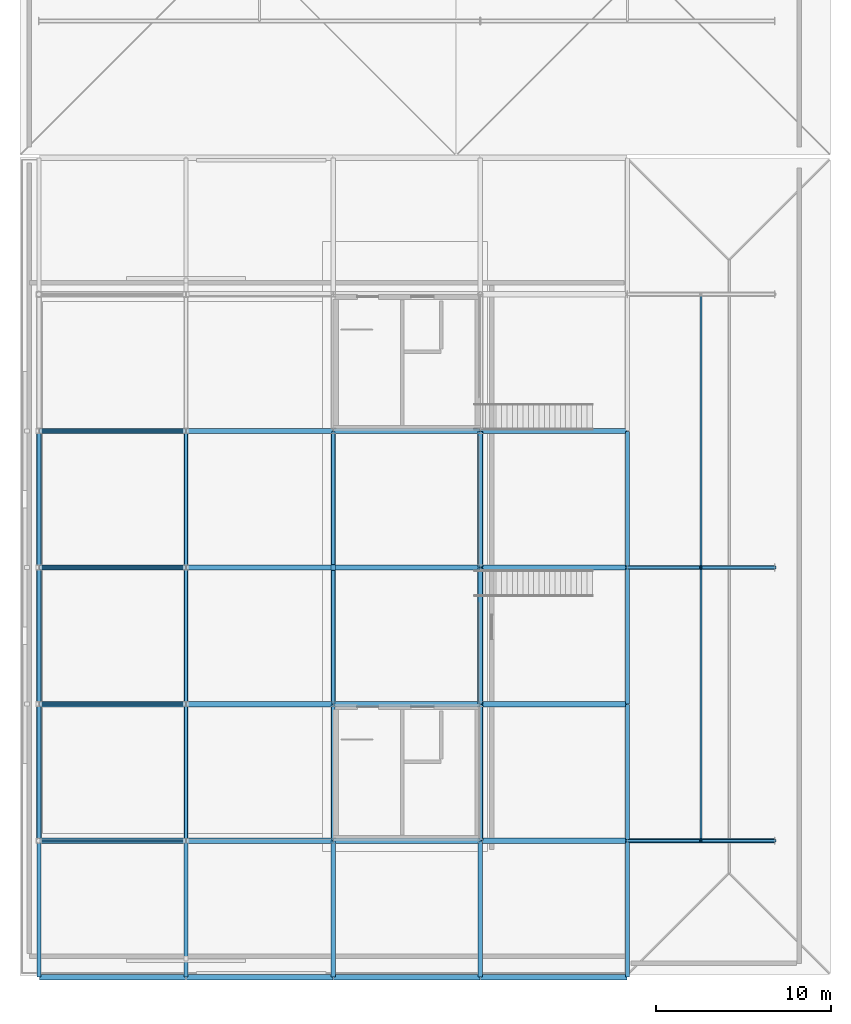
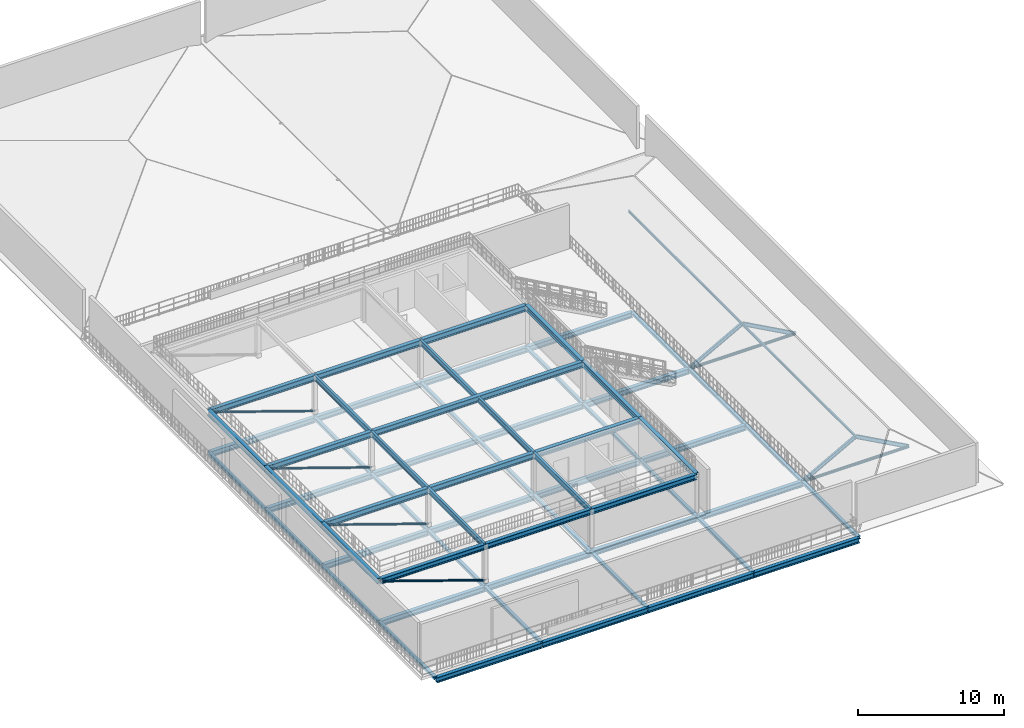
# One storey, part 2 of 16: 61 beams, 11 members.
"""IFC4 building model written with IfcOpenShell, lengths in metres."""

import ifcopenshell
import ifcopenshell.guid

model = None  # the IFC model being written
_history = None  # IfcOwnerHistory: only IFC2X3 demands one
_inside = {}  # id of a spatial element -> (the spatial element, [elements in it])
_under = {}  # id of a project, library or spatial element -> (it, [spatial elements below it])
_declared = {}  # id of a project -> (the project, [libraries it declares])
_typed = {}  # id of a type object -> (the type object, [elements of that type])
_made_of = {}  # id of a material, layer set ... -> (it, [elements and type objects made of it])


def new_model(schema):
    """Start an empty IFC model of exactly this schema.

    Asked for "IFC4X3", IfcOpenShell would pick the latest addendum, in which some entities
    have other attributes; the version numbers below select the first issue.
    IFC2X3 requires an IfcOwnerHistory on every rooted entity: one is made here for all.
    """
    global model, _history
    if schema == "IFC4X3":
        model = ifcopenshell.file(schema_version=(4, 3, 0, 0))
    else:
        model = ifcopenshell.file(schema=schema)
    _inside.clear()
    _under.clear()
    _declared.clear()
    _typed.clear()
    _made_of.clear()
    _history = None
    if model.schema == "IFC2X3":
        org = make("IfcOrganization", Name="unknown")
        user = make(
            "IfcPersonAndOrganization",
            ThePerson=make("IfcPerson", FamilyName="unknown"),
            TheOrganization=org,
        )
        app = make(
            "IfcApplication",
            ApplicationDeveloper=org,
            Version="unknown",
            ApplicationFullName="unknown",
            ApplicationIdentifier="unknown",
        )
        _history = make(
            "IfcOwnerHistory",
            OwningUser=user,
            OwningApplication=app,
            ChangeAction="ADDED",
            CreationDate=0,
        )
    return model


def make(cls, **values):
    """One entity of the class cls with the attributes given. An attribute that is None is left unset."""
    return model.create_entity(
        cls, **{name: value for name, value in values.items() if value is not None}
    )


def rooted(cls, **values):
    """An entity with a GlobalId (a new one), such as an element, a storey or a relation."""
    return make(cls, GlobalId=ifcopenshell.guid.new(), OwnerHistory=_history, **values)


def si_unit(unit_type, name, prefix=None):
    """IfcSIUnit, for example si_unit("LENGTHUNIT", "METRE", prefix="MILLI")."""
    return make("IfcSIUnit", UnitType=unit_type, Prefix=prefix, Name=name)


def assignment(units):
    """IfcUnitAssignment: the units of a project."""
    return None if units is None else make("IfcUnitAssignment", Units=units)


def point(xyz):
    """IfcCartesianPoint."""
    return None if xyz is None else make("IfcCartesianPoint", Coordinates=xyz)


def direction(xyz):
    """IfcDirection."""
    return None if xyz is None else make("IfcDirection", DirectionRatios=xyz)


def frame(location, z_axis=None, x_axis=None):
    """IfcAxis2Placement3D, a coordinate frame: its origin and axes. An axis left out is left unset."""
    return make(
        "IfcAxis2Placement3D",
        Location=point(location),
        Axis=direction(z_axis),
        RefDirection=direction(x_axis),
    )


def frame_2d(location, x_axis=None):
    """IfcAxis2Placement2D, a coordinate frame in the plane: its origin and x axis."""
    return make(
        "IfcAxis2Placement2D", Location=point(location), RefDirection=direction(x_axis)
    )


def origin():
    """The frame at (0, 0, 0) with its axes left unset."""
    return frame((0.0, 0.0, 0.0))


def origin_2d():
    """The frame at (0, 0) in the plane with its x axis left unset."""
    return frame_2d((0.0, 0.0))


def place(relative_to, where):
    """IfcLocalPlacement: puts the frame where relative to a parent placement (None: the world)."""
    return make(
        "IfcLocalPlacement", PlacementRelTo=relative_to, RelativePlacement=where
    )


def context(
    kind, dimensions, precision=None, world=None, true_north=None, identifier=None
):
    """IfcGeometricRepresentationContext, for example the 3D "Model" context."""
    return make(
        "IfcGeometricRepresentationContext",
        ContextIdentifier=identifier,
        ContextType=kind,
        CoordinateSpaceDimension=dimensions,
        Precision=precision,
        WorldCoordinateSystem=world,
        TrueNorth=true_north,
    )


def subcontext(parent, identifier, kind, view, scale=None):
    """IfcGeometricRepresentationSubContext, for example "Body" below "Model"."""
    return make(
        "IfcGeometricRepresentationSubContext",
        ContextIdentifier=identifier,
        ContextType=kind,
        ParentContext=parent,
        TargetScale=scale,
        TargetView=view,
    )


def project(units=None, contexts=None):
    """IfcProject with its units and contexts."""
    return rooted(
        "IfcProject",
        Name="project",
        RepresentationContexts=contexts,
        UnitsInContext=assignment(units),
    )


def spatial(cls, under=None, at=None, **own):
    """A site, building, storey or space (cls), placed at a placement, below another one or the project."""
    s = rooted(cls, ObjectPlacement=at, **own)
    if under is not None:
        _under.setdefault(under.id(), (under, []))[1].append(s)
    return s


def profile(cls, at=None, kind="AREA", **sizes):
    """A parametric profile (cls). Its sizes go by their IFC names, for example OverallWidth=200.0."""
    return make(cls, ProfileType=kind, Position=at, **sizes)


def hollow_circle(**sizes):
    """IfcCircleHollowProfileDef."""
    return profile("IfcCircleHollowProfileDef", **sizes)


def i_section(**sizes):
    """IfcIShapeProfileDef."""
    return profile("IfcIShapeProfileDef", **sizes)


def extrude(swept, where, along, depth):
    """IfcExtrudedAreaSolid: the profile swept, set in the frame where, extruded along a direction by depth."""
    return make(
        "IfcExtrudedAreaSolid",
        SweptArea=swept,
        Position=where,
        ExtrudedDirection=direction(along),
        Depth=depth,
    )


def shape(context_of_items, identifier, shape_type, items):
    """IfcShapeRepresentation: the items that make up one representation, for example the "Body"."""
    return make(
        "IfcShapeRepresentation",
        ContextOfItems=context_of_items,
        RepresentationIdentifier=identifier,
        RepresentationType=shape_type,
        Items=items,
    )


def material(Name=None, Category=None):
    """IfcMaterial."""
    return make("IfcMaterial", Name=Name, Category=Category)


def material_profile(
    of_material, cross_section, Name=None, Category=None, Priority=None
):
    """IfcMaterialProfile: a cross section and its material."""
    return make(
        "IfcMaterialProfile",
        Name=Name,
        Material=of_material,
        Profile=cross_section,
        Priority=Priority,
        Category=Category,
    )


def profile_set(profiles, Name=None, composite=None):
    """IfcMaterialProfileSet."""
    return make(
        "IfcMaterialProfileSet",
        Name=Name,
        MaterialProfiles=profiles,
        CompositeProfile=composite,
    )


def made_of(thing, what):
    """Note that an element or type object is made of a material, layer set ...; save() writes the relation."""
    if what is not None:
        _made_of.setdefault(what.id(), (what, []))[1].append(thing)
    return thing


def type_object(cls, material=None, **own):
    """A type object (cls), such as IfcWallType, which elements share."""
    return made_of(rooted(cls, **own), material)


def element(
    cls,
    number,
    at=None,
    inside=None,
    cuts=None,
    type_object=None,
    material=None,
    context=None,
    identifier="Body",
    shape_type=None,
    held_by="IfcProductDefinitionShape",
    body=None,
    shapes=None,
    **own,
):
    """One element of the class cls, such as IfcWall. Its Tag is "e" and its number.

    at: its placement. inside: the storey or other place that contains it. cuts: it is an
    opening in that element (IfcRelVoidsElement). A single representation is given by context,
    identifier, shape_type and body (its items); several are given by shapes. held_by: the class
    of the entity that holds the representations. save() writes the other relations.
    """
    e = rooted(cls, Tag="e%d" % number, ObjectPlacement=at, **own)
    if body is not None:
        shapes = [shape(context, identifier, shape_type, body)]
    if shapes is not None:
        e.Representation = make(held_by, Representations=shapes)
    if inside is not None:
        _inside.setdefault(inside.id(), (inside, []))[1].append(e)
    if cuts is not None:
        rooted(
            "IfcRelVoidsElement", RelatingBuildingElement=cuts, RelatedOpeningElement=e
        )
    if type_object is not None:
        _typed.setdefault(type_object.id(), (type_object, []))[1].append(e)
    return made_of(e, material)


def aggregate(whole, parts):
    """IfcRelAggregates: a whole, such as a stair, and the parts it consists of."""
    return rooted("IfcRelAggregates", RelatingObject=whole, RelatedObjects=parts)


def save(model, path):
    """Write the relations noted so far, then the file.

    IfcRelAggregates (storeys below a building ...), IfcRelContainedInSpatialStructure (elements
    in a storey), IfcRelDefinesByType, IfcRelAssociatesMaterial and IfcRelDeclares: one each for
    every whole, place, type object, material and project.
    """
    for whole, parts in _under.values():
        aggregate(whole, parts)
    for where, things in _inside.values():
        rooted(
            "IfcRelContainedInSpatialStructure",
            RelatedElements=things,
            RelatingStructure=where,
        )
    for kind, things in _typed.values():
        rooted("IfcRelDefinesByType", RelatedObjects=things, RelatingType=kind)
    for what, things in _made_of.values():
        rooted("IfcRelAssociatesMaterial", RelatedObjects=things, RelatingMaterial=what)
    for by, libraries in _declared.values():
        rooted("IfcRelDeclares", RelatingContext=by, RelatedDefinitions=libraries)
    model.write(path)


model = new_model("IFC4")

# Units and contexts
model_context = context("Model", 3, precision=1e-05, world=origin(), true_north=direction((0.0, 1.0)))
body_context = subcontext(model_context, "Body", "Model", "MODEL_VIEW")
ifc_project = project(units=[si_unit("LENGTHUNIT", "METRE"), si_unit("AREAUNIT", "SQUARE_METRE"), si_unit("VOLUMEUNIT", "CUBIC_METRE"), si_unit("PLANEANGLEUNIT", "RADIAN"), si_unit("MASSUNIT", "GRAM", prefix="KILO")], contexts=[model_context])

# Site, building, storey
site_placement = place(None, origin())
site = spatial("IfcSite", under=ifc_project, at=site_placement, CompositionType="ELEMENT")
building_placement = place(site_placement, origin())
building = spatial("IfcBuilding", under=site, at=building_placement, Name="Nabrawat Pavilion Hospital", CompositionType="ELEMENT")
storey_placement = place(building_placement, frame((0.0, 0.0, 35.10009765625)))
storey = spatial("IfcBuildingStorey", under=building, at=storey_placement, Name="Roof", CompositionType="ELEMENT", Elevation=35.10009765625)

# Beams
ifc_material = material(Name="Steel S355", Category="steel")
ifc_material_profile_1 = material_profile(ifc_material, i_section(OverallWidth=0.300048828125, OverallDepth=0.449951171875, WebThickness=0.013916015625, FlangeThickness=0.02587890625, FilletRadius=0.027099609375, at=origin_2d()), Name="HEB 450")
ifc_profile_set_1 = profile_set([ifc_material_profile_1], Name="Steel S355")
beam_type_1 = type_object("IfcBeamType", Name="Helipad Perimeter Edge Girder HEB 450", PredefinedType="USERDEFINED", material=ifc_profile_set_1)
beam_1_placement = place(storey_placement, frame((151.219970703125, 39.0, -0.465087890625), z_axis=(1.0, 0.0, 0.0), x_axis=(0.0, 1.0, 0.0)))
element("IfcBeam", 1, at=beam_1_placement, inside=storey, type_object=beam_type_1, Name="Roof Primary X Girder 2334", ObjectType="GIRDER", PredefinedType="USERDEFINED", context=body_context, shape_type="SweptSolid", body=[
    extrude(i_section(OverallWidth=0.300048828125, OverallDepth=0.449951171875, WebThickness=0.013916015625, FlangeThickness=0.02587890625, FilletRadius=0.027099609375, at=origin_2d()), origin(), (0.0, 0.0, 1.0), 8.360107421875),
])
for number, where, z_axis, x_axis, name in (
    (2, (159.6201171875, 39.0, -0.465087890625), (1.0, 0.0, 0.0), (0.0, 1.0, 0.0), "Roof Primary X Girder 2335"),
    (3, (168.02001953125, 39.0, -0.465087890625), (1.0, 0.0, 0.0), (0.0, 1.0, 0.0), "Roof Primary X Girder 2336"),
):
    element("IfcBeam", number, at=place(storey_placement, frame(where, z_axis=z_axis, x_axis=x_axis)), inside=storey, type_object=beam_type_1, Name=name, ObjectType="GIRDER", PredefinedType="USERDEFINED", context=body_context, shape_type="SweptSolid", body=[
        extrude(i_section(OverallWidth=0.300048828125, OverallDepth=0.449951171875, WebThickness=0.013916015625, FlangeThickness=0.02587890625, FilletRadius=0.027099609375, at=origin_2d()), origin(), (0.0, 0.0, 1.0), 8.35986328125),
    ])
for number, where, z_axis, x_axis, name in (
    (4, (176.419921875, 39.0, -0.465087890625), (1.0, 0.0, 0.0), (0.0, 1.0, 0.0), "Roof Primary X Girder 2337"),
    (5, (151.219970703125, 46.800048828125, -0.465087890625), (1.0, 0.0, 0.0), (0.0, 1.0, 0.0), "Roof Primary X Girder 2338"),
):
    element("IfcBeam", number, at=place(storey_placement, frame(where, z_axis=z_axis, x_axis=x_axis)), inside=storey, type_object=beam_type_1, Name=name, ObjectType="GIRDER", PredefinedType="USERDEFINED", context=body_context, shape_type="SweptSolid", body=[
        extrude(i_section(OverallWidth=0.300048828125, OverallDepth=0.449951171875, WebThickness=0.013916015625, FlangeThickness=0.02587890625, FilletRadius=0.027099609375, at=origin_2d()), origin(), (0.0, 0.0, 1.0), 8.360107421875),
    ])
for number, where, z_axis, x_axis, name in (
    (6, (159.6201171875, 46.800048828125, -0.465087890625), (1.0, 0.0, 0.0), (0.0, 1.0, 0.0), "Roof Primary X Girder 2339"),
    (7, (168.02001953125, 46.800048828125, -0.465087890625), (1.0, 0.0, 0.0), (0.0, 1.0, 0.0), "Roof Primary X Girder 2340"),
):
    element("IfcBeam", number, at=place(storey_placement, frame(where, z_axis=z_axis, x_axis=x_axis)), inside=storey, type_object=beam_type_1, Name=name, ObjectType="GIRDER", PredefinedType="USERDEFINED", context=body_context, shape_type="SweptSolid", body=[
        extrude(i_section(OverallWidth=0.300048828125, OverallDepth=0.449951171875, WebThickness=0.013916015625, FlangeThickness=0.02587890625, FilletRadius=0.027099609375, at=origin_2d()), origin(), (0.0, 0.0, 1.0), 8.35986328125),
    ])
for number, where, z_axis, x_axis, name in (
    (8, (176.419921875, 46.800048828125, -0.465087890625), (1.0, 0.0, 0.0), (0.0, 1.0, 0.0), "Roof Primary X Girder 2341"),
    (9, (151.219970703125, 54.60009765625, -0.465087890625), (1.0, 0.0, 0.0), (0.0, 1.0, 0.0), "Roof Primary X Girder 2342"),
):
    element("IfcBeam", number, at=place(storey_placement, frame(where, z_axis=z_axis, x_axis=x_axis)), inside=storey, type_object=beam_type_1, Name=name, ObjectType="GIRDER", PredefinedType="USERDEFINED", context=body_context, shape_type="SweptSolid", body=[
        extrude(i_section(OverallWidth=0.300048828125, OverallDepth=0.449951171875, WebThickness=0.013916015625, FlangeThickness=0.02587890625, FilletRadius=0.027099609375, at=origin_2d()), origin(), (0.0, 0.0, 1.0), 8.360107421875),
    ])
for number, where, z_axis, x_axis, name in (
    (10, (159.6201171875, 54.60009765625, -0.465087890625), (1.0, 0.0, 0.0), (0.0, 1.0, 0.0), "Roof Primary X Girder 2343"),
    (11, (168.02001953125, 54.60009765625, -0.465087890625), (1.0, 0.0, 0.0), (0.0, 1.0, 0.0), "Roof Primary X Girder 2344"),
):
    element("IfcBeam", number, at=place(storey_placement, frame(where, z_axis=z_axis, x_axis=x_axis)), inside=storey, type_object=beam_type_1, Name=name, ObjectType="GIRDER", PredefinedType="USERDEFINED", context=body_context, shape_type="SweptSolid", body=[
        extrude(i_section(OverallWidth=0.300048828125, OverallDepth=0.449951171875, WebThickness=0.013916015625, FlangeThickness=0.02587890625, FilletRadius=0.027099609375, at=origin_2d()), origin(), (0.0, 0.0, 1.0), 8.35986328125),
    ])
for number, where, z_axis, x_axis, name in (
    (12, (176.419921875, 54.60009765625, -0.465087890625), (1.0, 0.0, 0.0), (0.0, 1.0, 0.0), "Roof Primary X Girder 2345"),
    (13, (151.219970703125, 62.39990234375, -0.465087890625), (1.0, 0.0, 0.0), (0.0, 1.0, 0.0), "Roof Primary X Girder 2346"),
):
    element("IfcBeam", number, at=place(storey_placement, frame(where, z_axis=z_axis, x_axis=x_axis)), inside=storey, type_object=beam_type_1, Name=name, ObjectType="GIRDER", PredefinedType="USERDEFINED", context=body_context, shape_type="SweptSolid", body=[
        extrude(i_section(OverallWidth=0.300048828125, OverallDepth=0.449951171875, WebThickness=0.013916015625, FlangeThickness=0.02587890625, FilletRadius=0.027099609375, at=origin_2d()), origin(), (0.0, 0.0, 1.0), 8.360107421875),
    ])
beam_2_placement = place(storey_placement, frame((159.6201171875, 62.39990234375, -0.465087890625), z_axis=(1.0, 0.0, 0.0), x_axis=(0.0, 1.0, 0.0)))
element("IfcBeam", 14, at=beam_2_placement, inside=storey, type_object=beam_type_1, Name="Roof Primary X Girder 2347", ObjectType="GIRDER", PredefinedType="USERDEFINED", context=body_context, shape_type="SweptSolid", body=[
    extrude(i_section(OverallWidth=0.300048828125, OverallDepth=0.449951171875, WebThickness=0.013916015625, FlangeThickness=0.02587890625, FilletRadius=0.027099609375, at=origin_2d()), origin(), (0.0, 0.0, 1.0), 16.759765625),
])
for number, where, z_axis, x_axis, name in (
    (15, (176.419921875, 62.39990234375, -0.465087890625), (1.0, 0.0, 0.0), (0.0, 1.0, 0.0), "Roof Primary X Girder 2348"),
    (16, (151.219970703125, 70.199951171875, -0.465087890625), (1.0, 0.0, 0.0), (0.0, 1.0, 0.0), "Roof Primary X Girder 2349"),
):
    element("IfcBeam", number, at=place(storey_placement, frame(where, z_axis=z_axis, x_axis=x_axis)), inside=storey, type_object=beam_type_1, Name=name, ObjectType="GIRDER", PredefinedType="USERDEFINED", context=body_context, shape_type="SweptSolid", body=[
        extrude(i_section(OverallWidth=0.300048828125, OverallDepth=0.449951171875, WebThickness=0.013916015625, FlangeThickness=0.02587890625, FilletRadius=0.027099609375, at=origin_2d()), origin(), (0.0, 0.0, 1.0), 8.360107421875),
    ])
for number, where, z_axis, x_axis, name in (
    (17, (159.6201171875, 70.199951171875, -0.465087890625), (1.0, 0.0, 0.0), (0.0, 1.0, 0.0), "Roof Primary X Girder 2350"),
    (18, (168.02001953125, 70.199951171875, -0.465087890625), (1.0, 0.0, 0.0), (0.0, 1.0, 0.0), "Roof Primary X Girder 2351"),
):
    element("IfcBeam", number, at=place(storey_placement, frame(where, z_axis=z_axis, x_axis=x_axis)), inside=storey, type_object=beam_type_1, Name=name, ObjectType="GIRDER", PredefinedType="USERDEFINED", context=body_context, shape_type="SweptSolid", body=[
        extrude(i_section(OverallWidth=0.300048828125, OverallDepth=0.449951171875, WebThickness=0.013916015625, FlangeThickness=0.02587890625, FilletRadius=0.027099609375, at=origin_2d()), origin(), (0.0, 0.0, 1.0), 8.35986328125),
    ])
for number, where, z_axis, x_axis, name in (
    (19, (176.419921875, 70.199951171875, -0.465087890625), (1.0, 0.0, 0.0), (0.0, 1.0, 0.0), "Roof Primary X Girder 2352"),
    (20, (151.219970703125, 46.800048828125, 3.074951171875), (1.0, 0.0, 0.0), (0.0, 1.0, 0.0), "Roof Helipad Deck X Girder 2415"),
):
    element("IfcBeam", number, at=place(storey_placement, frame(where, z_axis=z_axis, x_axis=x_axis)), inside=storey, type_object=beam_type_1, Name=name, ObjectType="GIRDER", PredefinedType="USERDEFINED", context=body_context, shape_type="SweptSolid", body=[
        extrude(i_section(OverallWidth=0.300048828125, OverallDepth=0.449951171875, WebThickness=0.013916015625, FlangeThickness=0.02587890625, FilletRadius=0.027099609375, at=origin_2d()), origin(), (0.0, 0.0, 1.0), 8.360107421875),
    ])
for number, where, z_axis, x_axis, name in (
    (21, (159.6201171875, 46.800048828125, 3.074951171875), (1.0, 0.0, 0.0), (0.0, 1.0, 0.0), "Roof Helipad Deck X Girder 2416"),
    (22, (168.02001953125, 46.800048828125, 3.074951171875), (1.0, 0.0, 0.0), (0.0, 1.0, 0.0), "Roof Helipad Deck X Girder 2417"),
):
    element("IfcBeam", number, at=place(storey_placement, frame(where, z_axis=z_axis, x_axis=x_axis)), inside=storey, type_object=beam_type_1, Name=name, ObjectType="GIRDER", PredefinedType="USERDEFINED", context=body_context, shape_type="SweptSolid", body=[
        extrude(i_section(OverallWidth=0.300048828125, OverallDepth=0.449951171875, WebThickness=0.013916015625, FlangeThickness=0.02587890625, FilletRadius=0.027099609375, at=origin_2d()), origin(), (0.0, 0.0, 1.0), 8.35986328125),
    ])
beam_3_placement = place(storey_placement, frame((151.199951171875, 46.820068359375, 3.074951171875), z_axis=(0.0, 1.0, 0.0), x_axis=(-1.0, 0.0, 0.0)))
element("IfcBeam", 23, at=beam_3_placement, inside=storey, type_object=beam_type_1, Name="Roof Helipad Deck Y Girder 2429", ObjectType="GIRDER", PredefinedType="USERDEFINED", context=body_context, shape_type="SweptSolid", body=[
    extrude(i_section(OverallWidth=0.300048828125, OverallDepth=0.449951171875, WebThickness=0.013916015625, FlangeThickness=0.02587890625, FilletRadius=0.027099609375, at=origin_2d()), origin(), (0.0, 0.0, 1.0), 7.760009765625),
])
beam_4_placement = place(storey_placement, frame((151.199951171875, 54.6201171875, 3.074951171875), z_axis=(0.0, 1.0, 0.0), x_axis=(-1.0, 0.0, 0.0)))
element("IfcBeam", 24, at=beam_4_placement, inside=storey, type_object=beam_type_1, Name="Roof Helipad Deck Y Girder 2430", ObjectType="GIRDER", PredefinedType="USERDEFINED", context=body_context, shape_type="SweptSolid", body=[
    extrude(i_section(OverallWidth=0.300048828125, OverallDepth=0.449951171875, WebThickness=0.013916015625, FlangeThickness=0.02587890625, FilletRadius=0.027099609375, at=origin_2d()), origin(), (0.0, 0.0, 1.0), 7.759765625),
])
for number, where, z_axis, x_axis, name in (
    (25, (151.199951171875, 62.419921875, 3.074951171875), (0.0, 1.0, 0.0), (-1.0, 0.0, 0.0), "Roof Helipad Deck Y Girder 2431"),
    (26, (176.39990234375, 46.820068359375, 3.074951171875), (0.0, 1.0, 0.0), (-1.0, 0.0, 0.0), "Roof Helipad Deck Y Girder 2441"),
):
    element("IfcBeam", number, at=place(storey_placement, frame(where, z_axis=z_axis, x_axis=x_axis)), inside=storey, type_object=beam_type_1, Name=name, ObjectType="GIRDER", PredefinedType="USERDEFINED", context=body_context, shape_type="SweptSolid", body=[
        extrude(i_section(OverallWidth=0.300048828125, OverallDepth=0.449951171875, WebThickness=0.013916015625, FlangeThickness=0.02587890625, FilletRadius=0.027099609375, at=origin_2d()), origin(), (0.0, 0.0, 1.0), 7.760009765625),
    ])
beam_5_placement = place(storey_placement, frame((176.39990234375, 54.6201171875, 3.074951171875), z_axis=(0.0, 1.0, 0.0), x_axis=(-1.0, 0.0, 0.0)))
element("IfcBeam", 27, at=beam_5_placement, inside=storey, type_object=beam_type_1, Name="Roof Helipad Deck Y Girder 2442", ObjectType="GIRDER", PredefinedType="USERDEFINED", context=body_context, shape_type="SweptSolid", body=[
    extrude(i_section(OverallWidth=0.300048828125, OverallDepth=0.449951171875, WebThickness=0.013916015625, FlangeThickness=0.02587890625, FilletRadius=0.027099609375, at=origin_2d()), origin(), (0.0, 0.0, 1.0), 7.759765625),
])
beam_6_placement = place(storey_placement, frame((176.39990234375, 62.419921875, 3.074951171875), z_axis=(0.0, 1.0, 0.0), x_axis=(-1.0, 0.0, 0.0)))
element("IfcBeam", 28, at=beam_6_placement, inside=storey, type_object=beam_type_1, Name="Roof Helipad Deck Y Girder 2443", ObjectType="GIRDER", PredefinedType="USERDEFINED", context=body_context, shape_type="SweptSolid", body=[
    extrude(i_section(OverallWidth=0.300048828125, OverallDepth=0.449951171875, WebThickness=0.013916015625, FlangeThickness=0.02587890625, FilletRadius=0.027099609375, at=origin_2d()), origin(), (0.0, 0.0, 1.0), 7.760009765625),
])

# Members
ifc_material_profile_2 = material_profile(ifc_material, hollow_circle(Radius=0.084228515625, WallThickness=0.010009765625, at=origin_2d()), Name="CHS 168.3x10")
ifc_profile_set_2 = profile_set([ifc_material_profile_2], Name="Steel S355")
member_type_1 = type_object("IfcMemberType", Name="Helipad Support Brace Strut CHS 168.3x10", PredefinedType="STRUT", material=ifc_profile_set_2)
for number, where, z_axis, x_axis, name in (
    (29, (159.60009765625, 46.800048828125, 0.199951171875), (-0.946985429362, 0.0, 0.321276511086), (0.0, -1.0, 0.0), "Helipad Frame Knee Strut 01"),
    (30, (159.60009765625, 54.60009765625, 0.199951171875), (-0.946985429362, 0.0, 0.321276511086), (0.0, -1.0, 0.0), "Helipad Frame Knee Strut 02"),
    (31, (159.60009765625, 62.39990234375, 0.199951171875), (-0.946985429362, 0.0, 0.321276511086), (0.0, -1.0, 0.0), "Helipad Frame Knee Strut 03"),
    (32, (159.60009765625, 70.199951171875, 0.199951171875), (-0.946985429362, 0.0, 0.321276511086), (0.0, -1.0, 0.0), "Helipad Frame Knee Strut 04"),
):
    element("IfcMember", number, at=place(storey_placement, frame(where, z_axis=z_axis, x_axis=x_axis)), inside=storey, type_object=member_type_1, Name=name, PredefinedType="STRUT", context=body_context, shape_type="SweptSolid", body=[
        extrude(hollow_circle(Radius=0.084228515625, WallThickness=0.010009765625, at=origin_2d()), origin(), (0.0, 0.0, 1.0), 8.870361328125),
    ])
ifc_material_profile_3 = material_profile(ifc_material, i_section(OverallWidth=0.10009765625, OverallDepth=0.199951171875, WebThickness=0.005615234375, FlangeThickness=0.008544921875, FilletRadius=0.011962890625, at=origin_2d()), Name="IPE 200")
ifc_profile_set_3 = profile_set([ifc_material_profile_3], Name="Steel S355")
member_type_2 = type_object("IfcMemberType", Name="Pavilion Roof Purlin IPE 200", PredefinedType="PURLIN", material=ifc_profile_set_3)
member_placement = place(storey_placement, frame((189.0, 46.800048828125, 1.95703125), z_axis=(0.0, 1.0, 0.0), x_axis=(-1.0, 0.0, 0.0)))
element("IfcMember", 33, at=member_placement, inside=storey, type_object=member_type_2, Name="Inpatient East Boulevard Pavilion Roof Ridge Purlin", PredefinedType="PURLIN", context=body_context, shape_type="SweptSolid", body=[
    extrude(i_section(OverallWidth=0.10009765625, OverallDepth=0.199951171875, WebThickness=0.005615234375, FlangeThickness=0.008544921875, FilletRadius=0.011962890625, at=origin_2d()), origin(), (0.0, 0.0, 1.0), 31.199951171875),
])

# Beams
ifc_material_profile_4 = material_profile(ifc_material, i_section(OverallWidth=0.300048828125, OverallDepth=0.5, WebThickness=0.014404296875, FlangeThickness=0.028076171875, FilletRadius=0.027099609375, at=origin_2d()), Name="HEB 500")
ifc_profile_set_4 = profile_set([ifc_material_profile_4], Name="Steel S355")
beam_type_2 = type_object("IfcBeamType", Name="Primary Floor Girder HEB 500", PredefinedType="USERDEFINED", material=ifc_profile_set_4)
beam_7_placement = place(storey_placement, frame((151.219970703125, 54.60009765625, 3.0498046875), z_axis=(1.0, 0.0, 0.0), x_axis=(0.0, 1.0, 0.0)))
element("IfcBeam", 34, at=beam_7_placement, inside=storey, type_object=beam_type_2, Name="Roof Helipad Deck X Girder 2418", ObjectType="GIRDER", PredefinedType="USERDEFINED", context=body_context, shape_type="SweptSolid", body=[
    extrude(i_section(OverallWidth=0.300048828125, OverallDepth=0.5, WebThickness=0.014404296875, FlangeThickness=0.028076171875, FilletRadius=0.027099609375, at=origin_2d()), origin(), (0.0, 0.0, 1.0), 8.360107421875),
])
for number, where, z_axis, x_axis, name in (
    (35, (159.6201171875, 54.60009765625, 3.0498046875), (1.0, 0.0, 0.0), (0.0, 1.0, 0.0), "Roof Helipad Deck X Girder 2419"),
    (36, (168.02001953125, 54.60009765625, 3.0498046875), (1.0, 0.0, 0.0), (0.0, 1.0, 0.0), "Roof Helipad Deck X Girder 2420"),
):
    element("IfcBeam", number, at=place(storey_placement, frame(where, z_axis=z_axis, x_axis=x_axis)), inside=storey, type_object=beam_type_2, Name=name, ObjectType="GIRDER", PredefinedType="USERDEFINED", context=body_context, shape_type="SweptSolid", body=[
        extrude(i_section(OverallWidth=0.300048828125, OverallDepth=0.5, WebThickness=0.014404296875, FlangeThickness=0.028076171875, FilletRadius=0.027099609375, at=origin_2d()), origin(), (0.0, 0.0, 1.0), 8.35986328125),
    ])
beam_8_placement = place(storey_placement, frame((151.219970703125, 62.39990234375, 3.0498046875), z_axis=(1.0, 0.0, 0.0), x_axis=(0.0, 1.0, 0.0)))
element("IfcBeam", 37, at=beam_8_placement, inside=storey, type_object=beam_type_2, Name="Roof Helipad Deck X Girder 2421", ObjectType="GIRDER", PredefinedType="USERDEFINED", context=body_context, shape_type="SweptSolid", body=[
    extrude(i_section(OverallWidth=0.300048828125, OverallDepth=0.5, WebThickness=0.014404296875, FlangeThickness=0.028076171875, FilletRadius=0.027099609375, at=origin_2d()), origin(), (0.0, 0.0, 1.0), 8.360107421875),
])
beam_9_placement = place(storey_placement, frame((159.6201171875, 62.39990234375, 3.0498046875), z_axis=(1.0, 0.0, 0.0), x_axis=(0.0, 1.0, 0.0)))
element("IfcBeam", 38, at=beam_9_placement, inside=storey, type_object=beam_type_2, Name="Roof Helipad Deck X Girder 2422", ObjectType="GIRDER", PredefinedType="USERDEFINED", context=body_context, shape_type="SweptSolid", body=[
    extrude(i_section(OverallWidth=0.300048828125, OverallDepth=0.5, WebThickness=0.014404296875, FlangeThickness=0.028076171875, FilletRadius=0.027099609375, at=origin_2d()), origin(), (0.0, 0.0, 1.0), 16.759765625),
])
beam_10_placement = place(storey_placement, frame((151.219970703125, 70.199951171875, 3.0498046875), z_axis=(1.0, 0.0, 0.0), x_axis=(0.0, 1.0, 0.0)))
element("IfcBeam", 39, at=beam_10_placement, inside=storey, type_object=beam_type_2, Name="Roof Helipad Deck X Girder 2423", ObjectType="GIRDER", PredefinedType="USERDEFINED", context=body_context, shape_type="SweptSolid", body=[
    extrude(i_section(OverallWidth=0.300048828125, OverallDepth=0.5, WebThickness=0.014404296875, FlangeThickness=0.028076171875, FilletRadius=0.027099609375, at=origin_2d()), origin(), (0.0, 0.0, 1.0), 8.360107421875),
])
for number, where, z_axis, x_axis, name in (
    (40, (159.6201171875, 70.199951171875, 3.0498046875), (1.0, 0.0, 0.0), (0.0, 1.0, 0.0), "Roof Helipad Deck X Girder 2424"),
    (41, (168.02001953125, 70.199951171875, 3.0498046875), (1.0, 0.0, 0.0), (0.0, 1.0, 0.0), "Roof Helipad Deck X Girder 2425"),
):
    element("IfcBeam", number, at=place(storey_placement, frame(where, z_axis=z_axis, x_axis=x_axis)), inside=storey, type_object=beam_type_2, Name=name, ObjectType="GIRDER", PredefinedType="USERDEFINED", context=body_context, shape_type="SweptSolid", body=[
        extrude(i_section(OverallWidth=0.300048828125, OverallDepth=0.5, WebThickness=0.014404296875, FlangeThickness=0.028076171875, FilletRadius=0.027099609375, at=origin_2d()), origin(), (0.0, 0.0, 1.0), 8.35986328125),
    ])
ifc_material_profile_5 = material_profile(ifc_material, i_section(OverallWidth=0.18994140625, OverallDepth=0.449951171875, WebThickness=0.009521484375, FlangeThickness=0.0146484375, FilletRadius=0.02099609375, at=origin_2d()), Name="IPE 450")
ifc_profile_set_5 = profile_set([ifc_material_profile_5], Name="Steel S355")
beam_type_3 = type_object("IfcBeamType", Name="Primary Y Floor Beam IPE 450", PredefinedType="BEAM", material=ifc_profile_set_5)
beam_11_placement = place(storey_placement, frame((159.60009765625, 46.820068359375, 3.074951171875), z_axis=(0.0, 1.0, 0.0), x_axis=(-1.0, 0.0, 0.0)))
element("IfcBeam", 42, at=beam_11_placement, inside=storey, type_object=beam_type_3, Name="Roof Helipad Deck Y Girder 2433", PredefinedType="BEAM", context=body_context, shape_type="SweptSolid", body=[
    extrude(i_section(OverallWidth=0.18994140625, OverallDepth=0.449951171875, WebThickness=0.009521484375, FlangeThickness=0.0146484375, FilletRadius=0.02099609375, at=origin_2d()), origin(), (0.0, 0.0, 1.0), 7.760009765625),
])
beam_12_placement = place(storey_placement, frame((159.60009765625, 54.6201171875, 3.074951171875), z_axis=(0.0, 1.0, 0.0), x_axis=(-1.0, 0.0, 0.0)))
element("IfcBeam", 43, at=beam_12_placement, inside=storey, type_object=beam_type_3, Name="Roof Helipad Deck Y Girder 2434", PredefinedType="BEAM", context=body_context, shape_type="SweptSolid", body=[
    extrude(i_section(OverallWidth=0.18994140625, OverallDepth=0.449951171875, WebThickness=0.009521484375, FlangeThickness=0.0146484375, FilletRadius=0.02099609375, at=origin_2d()), origin(), (0.0, 0.0, 1.0), 7.759765625),
])
for number, where, z_axis, x_axis, name in (
    (44, (159.60009765625, 62.419921875, 3.074951171875), (0.0, 1.0, 0.0), (-1.0, 0.0, 0.0), "Roof Helipad Deck Y Girder 2435"),
    (45, (168.0, 46.820068359375, 3.074951171875), (0.0, 1.0, 0.0), (-1.0, 0.0, 0.0), "Roof Helipad Deck Y Girder 2437"),
):
    element("IfcBeam", number, at=place(storey_placement, frame(where, z_axis=z_axis, x_axis=x_axis)), inside=storey, type_object=beam_type_3, Name=name, PredefinedType="BEAM", context=body_context, shape_type="SweptSolid", body=[
        extrude(i_section(OverallWidth=0.18994140625, OverallDepth=0.449951171875, WebThickness=0.009521484375, FlangeThickness=0.0146484375, FilletRadius=0.02099609375, at=origin_2d()), origin(), (0.0, 0.0, 1.0), 7.760009765625),
    ])
for number, where, z_axis, x_axis, name in (
    (46, (168.0, 54.6201171875, 3.074951171875), (0.0, 1.0, 0.0), (-1.0, 0.0, 0.0), "Roof Helipad Deck Y Girder 2438"),
    (47, (168.0, 62.56005859375, 3.074951171875), (0.0, 1.0, 0.0), (-1.0, 0.0, 0.0), "Roof Helipad Deck Y Girder 2439"),
):
    element("IfcBeam", number, at=place(storey_placement, frame(where, z_axis=z_axis, x_axis=x_axis)), inside=storey, type_object=beam_type_3, Name=name, PredefinedType="BEAM", context=body_context, shape_type="SweptSolid", body=[
        extrude(i_section(OverallWidth=0.18994140625, OverallDepth=0.449951171875, WebThickness=0.009521484375, FlangeThickness=0.0146484375, FilletRadius=0.02099609375, at=origin_2d()), origin(), (0.0, 0.0, 1.0), 7.619873046875),
    ])
ifc_material_profile_6 = material_profile(ifc_material, i_section(OverallWidth=0.239990234375, OverallDepth=0.239990234375, WebThickness=0.010009765625, FlangeThickness=0.01708984375, FilletRadius=0.02099609375, at=origin_2d()), Name="HEB 240")
ifc_profile_set_6 = profile_set([ifc_material_profile_6], Name="Steel S355")
beam_type_4 = type_object("IfcBeamType", Name="Roof Edge Spandrel Beam HEB 240", PredefinedType="SPANDREL", material=ifc_profile_set_6)
for number, where, z_axis, x_axis, name in (
    (48, (151.199951171875, 39.02001953125, -0.360107421875), (0.0, 1.0, 0.0), (-1.0, 0.0, 0.0), "Roof Primary Y Beam 2361"),
    (49, (151.199951171875, 46.820068359375, -0.360107421875), (0.0, 1.0, 0.0), (-1.0, 0.0, 0.0), "Roof Primary Y Beam 2362"),
):
    element("IfcBeam", number, at=place(storey_placement, frame(where, z_axis=z_axis, x_axis=x_axis)), inside=storey, type_object=beam_type_4, Name=name, PredefinedType="SPANDREL", context=body_context, shape_type="SweptSolid", body=[
        extrude(i_section(OverallWidth=0.239990234375, OverallDepth=0.239990234375, WebThickness=0.010009765625, FlangeThickness=0.01708984375, FilletRadius=0.02099609375, at=origin_2d()), origin(), (0.0, 0.0, 1.0), 7.760009765625),
    ])
beam_13_placement = place(storey_placement, frame((151.199951171875, 54.6201171875, -0.360107421875), z_axis=(0.0, 1.0, 0.0), x_axis=(-1.0, 0.0, 0.0)))
element("IfcBeam", 50, at=beam_13_placement, inside=storey, type_object=beam_type_4, Name="Roof Primary Y Beam 2363", PredefinedType="SPANDREL", context=body_context, shape_type="SweptSolid", body=[
    extrude(i_section(OverallWidth=0.239990234375, OverallDepth=0.239990234375, WebThickness=0.010009765625, FlangeThickness=0.01708984375, FilletRadius=0.02099609375, at=origin_2d()), origin(), (0.0, 0.0, 1.0), 7.759765625),
])
for number, where, z_axis, x_axis, name in (
    (51, (151.199951171875, 62.419921875, -0.360107421875), (0.0, 1.0, 0.0), (-1.0, 0.0, 0.0), "Roof Primary Y Beam 2364"),
    (52, (159.60009765625, 39.02001953125, -0.360107421875), (0.0, 1.0, 0.0), (-1.0, 0.0, 0.0), "Roof Primary Y Beam 2367"),
    (53, (159.60009765625, 46.820068359375, -0.360107421875), (0.0, 1.0, 0.0), (-1.0, 0.0, 0.0), "Roof Primary Y Beam 2368"),
):
    element("IfcBeam", number, at=place(storey_placement, frame(where, z_axis=z_axis, x_axis=x_axis)), inside=storey, type_object=beam_type_4, Name=name, PredefinedType="SPANDREL", context=body_context, shape_type="SweptSolid", body=[
        extrude(i_section(OverallWidth=0.239990234375, OverallDepth=0.239990234375, WebThickness=0.010009765625, FlangeThickness=0.01708984375, FilletRadius=0.02099609375, at=origin_2d()), origin(), (0.0, 0.0, 1.0), 7.760009765625),
    ])
beam_14_placement = place(storey_placement, frame((159.60009765625, 54.6201171875, -0.360107421875), z_axis=(0.0, 1.0, 0.0), x_axis=(-1.0, 0.0, 0.0)))
element("IfcBeam", 54, at=beam_14_placement, inside=storey, type_object=beam_type_4, Name="Roof Primary Y Beam 2369", PredefinedType="SPANDREL", context=body_context, shape_type="SweptSolid", body=[
    extrude(i_section(OverallWidth=0.239990234375, OverallDepth=0.239990234375, WebThickness=0.010009765625, FlangeThickness=0.01708984375, FilletRadius=0.02099609375, at=origin_2d()), origin(), (0.0, 0.0, 1.0), 7.759765625),
])
for number, where, z_axis, x_axis, name in (
    (55, (159.60009765625, 62.419921875, -0.360107421875), (0.0, 1.0, 0.0), (-1.0, 0.0, 0.0), "Roof Primary Y Beam 2370"),
    (56, (168.0, 39.02001953125, -0.360107421875), (0.0, 1.0, 0.0), (-1.0, 0.0, 0.0), "Roof Primary Y Beam 2373"),
    (57, (168.0, 46.820068359375, -0.360107421875), (0.0, 1.0, 0.0), (-1.0, 0.0, 0.0), "Roof Primary Y Beam 2374"),
):
    element("IfcBeam", number, at=place(storey_placement, frame(where, z_axis=z_axis, x_axis=x_axis)), inside=storey, type_object=beam_type_4, Name=name, PredefinedType="SPANDREL", context=body_context, shape_type="SweptSolid", body=[
        extrude(i_section(OverallWidth=0.239990234375, OverallDepth=0.239990234375, WebThickness=0.010009765625, FlangeThickness=0.01708984375, FilletRadius=0.02099609375, at=origin_2d()), origin(), (0.0, 0.0, 1.0), 7.760009765625),
    ])
beam_15_placement = place(storey_placement, frame((168.0, 54.6201171875, -0.360107421875), z_axis=(0.0, 1.0, 0.0), x_axis=(-1.0, 0.0, 0.0)))
element("IfcBeam", 58, at=beam_15_placement, inside=storey, type_object=beam_type_4, Name="Roof Primary Y Beam 2375", PredefinedType="SPANDREL", context=body_context, shape_type="SweptSolid", body=[
    extrude(i_section(OverallWidth=0.239990234375, OverallDepth=0.239990234375, WebThickness=0.010009765625, FlangeThickness=0.01708984375, FilletRadius=0.02099609375, at=origin_2d()), origin(), (0.0, 0.0, 1.0), 15.559814453125),
])
for number, where, z_axis, x_axis, name in (
    (59, (176.39990234375, 39.02001953125, -0.360107421875), (0.0, 1.0, 0.0), (-1.0, 0.0, 0.0), "Roof Primary Y Beam 2378"),
    (60, (176.39990234375, 46.820068359375, -0.360107421875), (0.0, 1.0, 0.0), (-1.0, 0.0, 0.0), "Roof Primary Y Beam 2379"),
):
    element("IfcBeam", number, at=place(storey_placement, frame(where, z_axis=z_axis, x_axis=x_axis)), inside=storey, type_object=beam_type_4, Name=name, PredefinedType="SPANDREL", context=body_context, shape_type="SweptSolid", body=[
        extrude(i_section(OverallWidth=0.239990234375, OverallDepth=0.239990234375, WebThickness=0.010009765625, FlangeThickness=0.01708984375, FilletRadius=0.02099609375, at=origin_2d()), origin(), (0.0, 0.0, 1.0), 7.760009765625),
    ])
beam_16_placement = place(storey_placement, frame((176.39990234375, 54.6201171875, -0.360107421875), z_axis=(0.0, 1.0, 0.0), x_axis=(-1.0, 0.0, 0.0)))
element("IfcBeam", 61, at=beam_16_placement, inside=storey, type_object=beam_type_4, Name="Roof Primary Y Beam 2380", PredefinedType="SPANDREL", context=body_context, shape_type="SweptSolid", body=[
    extrude(i_section(OverallWidth=0.239990234375, OverallDepth=0.239990234375, WebThickness=0.010009765625, FlangeThickness=0.01708984375, FilletRadius=0.02099609375, at=origin_2d()), origin(), (0.0, 0.0, 1.0), 7.759765625),
])
for number, where, z_axis, x_axis, name in (
    (62, (176.39990234375, 62.419921875, -0.360107421875), (0.0, 1.0, 0.0), (-1.0, 0.0, 0.0), "Roof Primary Y Beam 2381"),
    (63, (184.800048828125, 39.02001953125, -0.360107421875), (0.0, 1.0, 0.0), (-1.0, 0.0, 0.0), "Roof Primary Y Beam 2384"),
    (64, (184.800048828125, 46.820068359375, -0.360107421875), (0.0, 1.0, 0.0), (-1.0, 0.0, 0.0), "Roof Primary Y Beam 2385"),
):
    element("IfcBeam", number, at=place(storey_placement, frame(where, z_axis=z_axis, x_axis=x_axis)), inside=storey, type_object=beam_type_4, Name=name, PredefinedType="SPANDREL", context=body_context, shape_type="SweptSolid", body=[
        extrude(i_section(OverallWidth=0.239990234375, OverallDepth=0.239990234375, WebThickness=0.010009765625, FlangeThickness=0.01708984375, FilletRadius=0.02099609375, at=origin_2d()), origin(), (0.0, 0.0, 1.0), 7.760009765625),
    ])
beam_17_placement = place(storey_placement, frame((184.800048828125, 54.6201171875, -0.360107421875), z_axis=(0.0, 1.0, 0.0), x_axis=(-1.0, 0.0, 0.0)))
element("IfcBeam", 65, at=beam_17_placement, inside=storey, type_object=beam_type_4, Name="Roof Primary Y Beam 2386", PredefinedType="SPANDREL", context=body_context, shape_type="SweptSolid", body=[
    extrude(i_section(OverallWidth=0.239990234375, OverallDepth=0.239990234375, WebThickness=0.010009765625, FlangeThickness=0.01708984375, FilletRadius=0.02099609375, at=origin_2d()), origin(), (0.0, 0.0, 1.0), 7.759765625),
])
beam_18_placement = place(storey_placement, frame((184.800048828125, 62.419921875, -0.360107421875), z_axis=(0.0, 1.0, 0.0), x_axis=(-1.0, 0.0, 0.0)))
element("IfcBeam", 66, at=beam_18_placement, inside=storey, type_object=beam_type_4, Name="Roof Primary Y Beam 2387", PredefinedType="SPANDREL", context=body_context, shape_type="SweptSolid", body=[
    extrude(i_section(OverallWidth=0.239990234375, OverallDepth=0.239990234375, WebThickness=0.010009765625, FlangeThickness=0.01708984375, FilletRadius=0.02099609375, at=origin_2d()), origin(), (0.0, 0.0, 1.0), 7.760009765625),
])

# Members
ifc_material_profile_7 = material_profile(ifc_material, hollow_circle(Radius=0.122314453125, WallThickness=0.012451171875, at=origin_2d()), Name="CHS 244.5x12.5")
ifc_profile_set_7 = profile_set([ifc_material_profile_7], Name="Steel S355")
member_type_3 = type_object("IfcMemberType", Name="Space Frame Transverse Chord CHS 244.5x12.5", PredefinedType="CHORD", material=ifc_profile_set_7)
for number, where, z_axis, x_axis, name in (
    (67, (184.800048828125, 46.800048828125, -0.35009765625), (1.0, 0.0, 0.0), (0.0, 1.0, 0.0), "Inpatient East Boulevard Pavilion Truss Bottom Tie Chord 01"),
    (68, (184.800048828125, 62.39990234375, -0.35009765625), (1.0, 0.0, 0.0), (0.0, 1.0, 0.0), "Inpatient East Boulevard Pavilion Truss Bottom Tie Chord 02"),
):
    element("IfcMember", number, at=place(storey_placement, frame(where, z_axis=z_axis, x_axis=x_axis)), inside=storey, type_object=member_type_3, Name=name, PredefinedType="CHORD", context=body_context, shape_type="SweptSolid", body=[
        extrude(hollow_circle(Radius=0.122314453125, WallThickness=0.012451171875, at=origin_2d()), origin(), (0.0, 0.0, 1.0), 8.39990234375),
    ])
ifc_material_profile_8 = material_profile(ifc_material, i_section(OverallWidth=0.14990234375, OverallDepth=0.300048828125, WebThickness=0.007080078125, FlangeThickness=0.0107421875, FilletRadius=0.014892578125, at=origin_2d()), Name="IPE 300")
ifc_profile_set_8 = profile_set([ifc_material_profile_8], Name="Steel S355")
member_type_4 = type_object("IfcMemberType", Name="Ward Hipped Roof Rafter IPE 300", PredefinedType="RAFTER", material=ifc_profile_set_8)
for number, where, z_axis, x_axis, name in (
    (69, (184.800048828125, 46.800048828125, -0.35009765625), (0.876466425327, 0.0, 0.481462984325), (0.0, 1.0, 0.0), "Inpatient East Boulevard Pavilion West Hipped Rafter 01"),
    (70, (193.199951171875, 46.800048828125, -0.35009765625), (-0.876466425327, 0.0, 0.481462984325), (0.0, -1.0, 0.0), "Inpatient East Boulevard Pavilion East Hipped Rafter 01"),
    (71, (184.800048828125, 62.39990234375, -0.35009765625), (0.876466425327, 0.0, 0.481462984325), (0.0, 1.0, 0.0), "Inpatient East Boulevard Pavilion West Hipped Rafter 02"),
    (72, (193.199951171875, 62.39990234375, -0.35009765625), (-0.876466425327, 0.0, 0.481462984325), (0.0, -1.0, 0.0), "Inpatient East Boulevard Pavilion East Hipped Rafter 02"),
):
    element("IfcMember", number, at=place(storey_placement, frame(where, z_axis=z_axis, x_axis=x_axis)), inside=storey, type_object=member_type_4, Name=name, PredefinedType="RAFTER", context=body_context, shape_type="SweptSolid", body=[
        extrude(i_section(OverallWidth=0.14990234375, OverallDepth=0.300048828125, WebThickness=0.007080078125, FlangeThickness=0.0107421875, FilletRadius=0.014892578125, at=origin_2d()), origin(), (0.0, 0.0, 1.0), 4.7919921875),
    ])

save(model, "model.ifc")
